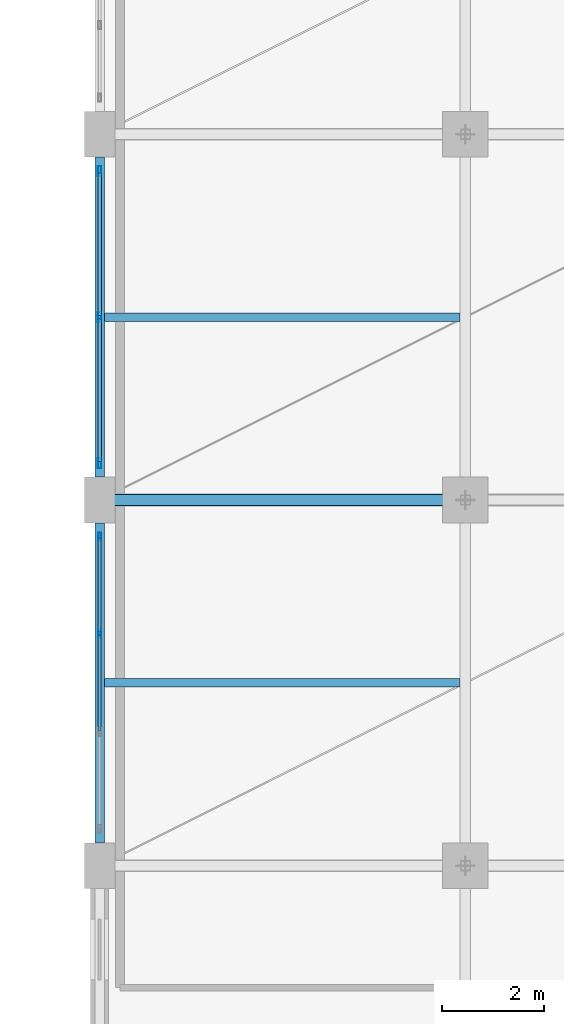
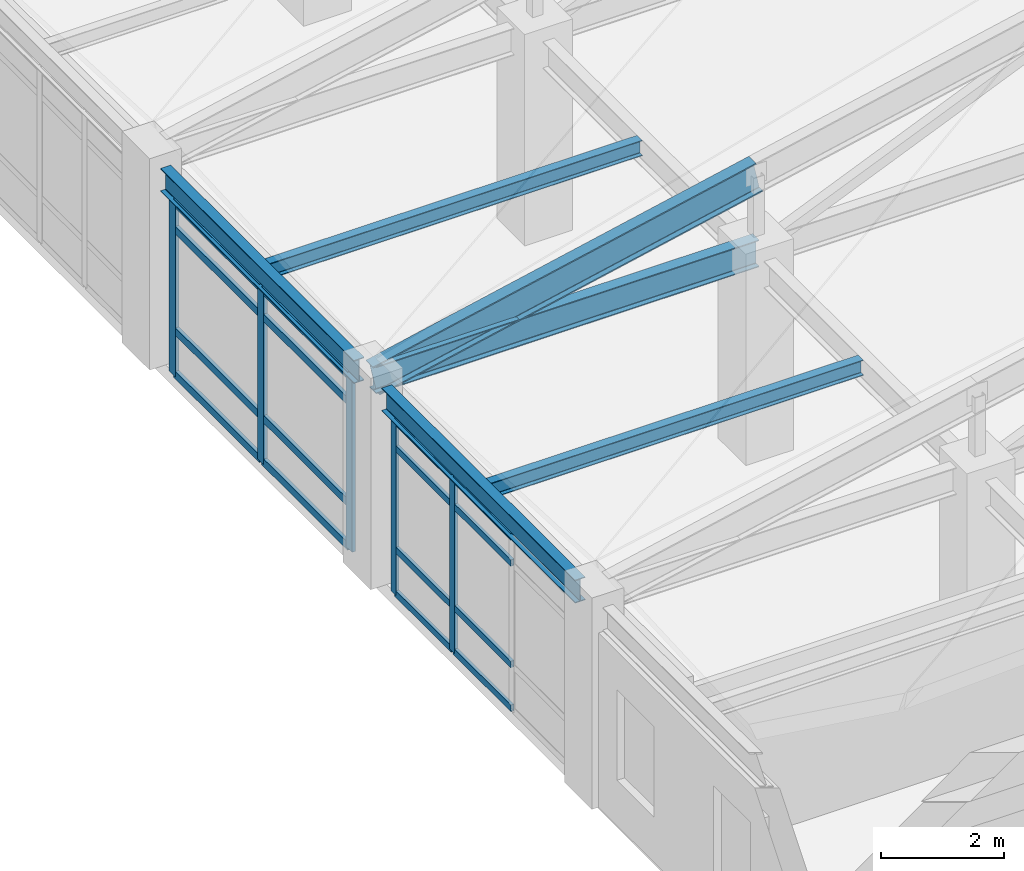
# One storey, part 29 of 113: 22 members, 5 beams, 2 elements without a shape of their own.
"""IFC4 building model written with IfcOpenShell, lengths in metres."""

from ifc_helpers import new_model, si_unit, direction, frame, origin, origin_2d, place, context, subcontext, project, spatial, hollow_rectangle, i_section, extrude, material, layer, layer_set, material_profile, profile_set, type_object, element, aggregate, save


model = new_model("IFC4")

# Units and contexts
model_context = context("Model", 3, precision=1e-05, world=origin(), true_north=direction((0.0, 1.0)))
body_context = subcontext(model_context, "Body", "Model", "MODEL_VIEW")
ifc_project = project(units=[si_unit("LENGTHUNIT", "METRE"), si_unit("AREAUNIT", "SQUARE_METRE"), si_unit("VOLUMEUNIT", "CUBIC_METRE"), si_unit("PLANEANGLEUNIT", "RADIAN"), si_unit("MASSUNIT", "GRAM", prefix="KILO")], contexts=[model_context])

# Site, building, storey
site_placement = place(None, origin())
site = spatial("IfcSite", under=ifc_project, at=site_placement, CompositionType="ELEMENT")
building_placement = place(site_placement, origin())
building = spatial("IfcBuilding", under=site, at=building_placement, Name="Carrowvane Square Congress Hotel", CompositionType="ELEMENT")
storey_placement = place(building_placement, frame((0.0, 0.0, 15.0)))
storey = spatial("IfcBuildingStorey", under=building, at=storey_placement, Name="L03", CompositionType="ELEMENT", Elevation=15.0)

# Beams
ifc_material_1 = material(Name="Steel S355", Category="steel")
ifc_material_profile_1 = material_profile(ifc_material_1, i_section(OverallWidth=0.165771484375, OverallDepth=0.306640625, WebThickness=0.006591796875, FlangeThickness=0.01171875, FilletRadius=0.0087890625, at=origin_2d()), Name="UKB 305x165x46")
ifc_profile_set_1 = profile_set([ifc_material_profile_1], Name="Steel S355")
beam_type_1 = type_object("IfcBeamType", Name="BM-ST-UKB305", PredefinedType="JOIST", material=ifc_profile_set_1)
for number, where, z_axis, x_axis, name in (
    (1, (134.095703125, 16.199951171875, 3.78662109375), (1.0, 0.0, 0.0), (0.0, 1.0, 0.0), "L04 secondary joist 18-19"),
    (2, (134.095703125, 23.39990234375, 3.78662109375), (1.0, 0.0, 0.0), (0.0, 1.0, 0.0), "L04 secondary joist 18-19"),
):
    element("IfcBeam", number, at=place(storey_placement, frame(where, z_axis=z_axis, x_axis=x_axis)), inside=storey, type_object=beam_type_1, Name=name, PredefinedType="JOIST", context=body_context, shape_type="SweptSolid", body=[
        extrude(i_section(OverallWidth=0.165771484375, OverallDepth=0.306640625, WebThickness=0.006591796875, FlangeThickness=0.01171875, FilletRadius=0.0087890625, at=origin_2d()), origin(), (0.0, 0.0, 1.0), 6.999267578125),
    ])
ifc_material_2 = material(Name="Steel S355", Category="steel")
ifc_material_profile_2 = material_profile(ifc_material_2, i_section(OverallWidth=0.19140625, OverallDepth=0.4599609375, WebThickness=0.010009765625, FlangeThickness=0.01611328125, FilletRadius=0.01025390625, at=origin_2d()), Name="UKB 457x191x82")
ifc_profile_set_2 = profile_set([ifc_material_profile_2], Name="Steel S355")
beam_type_2 = type_object("IfcBeamType", Name="BM-ST-UKB457", PredefinedType="SPANDREL", material=ifc_profile_set_2)
for number, where, z_axis, x_axis, name in (
    (3, (134.0, 13.050048828125, 3.7099609375), (0.0, 1.0, 0.0), (-1.0, 0.0, 0.0), "L04 girder 18/B-C"),
    (4, (134.0, 20.25, 3.7099609375), (0.0, 1.0, 0.0), (-1.0, 0.0, 0.0), "L04 girder 18/C-D"),
):
    element("IfcBeam", number, at=place(storey_placement, frame(where, z_axis=z_axis, x_axis=x_axis)), inside=storey, type_object=beam_type_2, Name=name, PredefinedType="SPANDREL", context=body_context, shape_type="SweptSolid", body=[
        extrude(i_section(OverallWidth=0.19140625, OverallDepth=0.4599609375, WebThickness=0.010009765625, FlangeThickness=0.01611328125, FilletRadius=0.01025390625, at=origin_2d()), origin(), (0.0, 0.0, 1.0), 6.300048828125),
    ])
ifc_material_3 = material(Name="Steel S355", Category="steel")
ifc_material_profile_3 = material_profile(ifc_material_3, i_section(OverallWidth=0.2099609375, OverallDepth=0.53662109375, WebThickness=0.0107421875, FlangeThickness=0.017333984375, FilletRadius=0.0126953125, at=origin_2d()), Name="UKB 533x210x101")
ifc_profile_set_3 = profile_set([ifc_material_profile_3], Name="Steel S355")
beam_type_3 = type_object("IfcBeamType", Name="BM-ST-UKB533", PredefinedType="USERDEFINED", material=ifc_profile_set_3)
beam_placement = place(storey_placement, frame((134.0, 19.800048828125, 3.85009765625), z_axis=(1.0, 0.0, 0.0), x_axis=(0.0, 1.0, 0.0)))
element("IfcBeam", 5, at=beam_placement, inside=storey, type_object=beam_type_3, Name="V2 pavilion truss west tie girder 2", ObjectType="GIRDER", PredefinedType="USERDEFINED", context=body_context, shape_type="SweptSolid", body=[
    extrude(i_section(OverallWidth=0.2099609375, OverallDepth=0.53662109375, WebThickness=0.0107421875, FlangeThickness=0.017333984375, FilletRadius=0.0126953125, at=origin_2d()), origin(), (0.0, 0.0, 1.0), 7.199951171875),
])

# Curtain wall, members
ifc_material_4 = material(Name="Anodised aluminium", Category="aluminium")
ifc_layer_1 = layer(ifc_material_4, 0.18603515625)
ifc_layer_set_1 = layer_set([ifc_layer_1], Name="Anodised aluminium")
curtain_wall_type_1 = type_object("IfcCurtainWallType", Name="CW-SYS-3", PredefinedType="NOTDEFINED", material=ifc_layer_set_1)
curtain_wall_1_placement = place(storey_placement, origin())
curtain_wall_1 = element("IfcCurtainWall", 6, at=curtain_wall_1_placement, inside=storey, type_object=curtain_wall_type_1, Name="L03 unitised curtain wall 242", PredefinedType="NOTDEFINED")
ifc_material_5 = material(Name="Anodised aluminium", Category="aluminium")
ifc_material_profile_4 = material_profile(ifc_material_5, hollow_rectangle(XDim=0.06005859375, YDim=0.159912109375, WallThickness=0.00390625, at=origin_2d()), Name="CW-ML 60x160x4")
ifc_profile_set_4 = profile_set([ifc_material_profile_4], Name="Anodised aluminium")
member_type_1 = type_object("IfcMemberType", Name="CW-MUL-1", PredefinedType="MULLION", material=ifc_profile_set_4)
member_1_placement = place(storey_placement, frame((134.0, 17.169921875, 0.0), z_axis=(0.0, 0.0, 1.0), x_axis=(-1.0, 0.0, 0.0)))
member_1 = element("IfcMember", 7, at=member_1_placement, type_object=member_type_1, Name="CW-3 mullion 3", PredefinedType="MULLION", context=body_context, shape_type="SweptSolid", body=[
    extrude(hollow_rectangle(XDim=0.06005859375, YDim=0.159912109375, WallThickness=0.00390625, at=origin_2d()), origin(), (0.0, 0.0, 1.0), 3.465087890625),
])
member_2_placement = place(storey_placement, frame((134.0, 19.080078125, 0.0), z_axis=(0.0, 0.0, 1.0), x_axis=(-1.0, 0.0, 0.0)))
member_2 = element("IfcMember", 8, at=member_2_placement, type_object=member_type_1, Name="CW-3 mullion 4", PredefinedType="MULLION", context=body_context, shape_type="SweptSolid", body=[
    extrude(hollow_rectangle(XDim=0.06005859375, YDim=0.159912109375, WallThickness=0.00390625, at=origin_2d()), origin(), (0.0, 0.0, 1.0), 3.465087890625),
])

ifc_material_6 = material(Name="Anodised aluminium", Category="aluminium")
ifc_layer_2 = layer(ifc_material_6, 0.197998046875)
ifc_layer_set_2 = layer_set([ifc_layer_2], Name="Anodised aluminium")
curtain_wall_type_2 = type_object("IfcCurtainWallType", Name="CW-SYS-4", PredefinedType="NOTDEFINED", material=ifc_layer_set_2)
curtain_wall_2_placement = place(storey_placement, origin())
curtain_wall_2 = element("IfcCurtainWall", 9, at=curtain_wall_2_placement, inside=storey, type_object=curtain_wall_type_2, Name="L03 unitised curtain wall 243", PredefinedType="NOTDEFINED")
ifc_material_7 = material(Name="Anodised aluminium", Category="aluminium")
ifc_material_profile_5 = material_profile(ifc_material_7, hollow_rectangle(XDim=0.070068359375, YDim=0.199951171875, WallThickness=0.0048828125, at=origin_2d()), Name="CW-ML 70x200x5")
ifc_profile_set_5 = profile_set([ifc_material_profile_5], Name="Anodised aluminium")
member_type_2 = type_object("IfcMemberType", Name="CW-MUL-2", PredefinedType="MULLION", material=ifc_profile_set_5)
member_3_placement = place(storey_placement, frame((134.0, 20.52490234375, 0.0), z_axis=(0.0, 0.0, 1.0), x_axis=(-1.0, 0.0, 0.0)))
member_3 = element("IfcMember", 10, at=member_3_placement, type_object=member_type_2, Name="CW-4 mullion 1", PredefinedType="MULLION", context=body_context, shape_type="SweptSolid", body=[
    extrude(hollow_rectangle(XDim=0.070068359375, YDim=0.199951171875, WallThickness=0.0048828125, at=origin_2d()), origin(), (0.0, 0.0, 1.0), 3.465087890625),
])
member_4_placement = place(storey_placement, frame((134.0, 23.39990234375, 0.0), z_axis=(0.0, 0.0, 1.0), x_axis=(-1.0, 0.0, 0.0)))
member_4 = element("IfcMember", 11, at=member_4_placement, type_object=member_type_2, Name="CW-4 mullion 2", PredefinedType="MULLION", context=body_context, shape_type="SweptSolid", body=[
    extrude(hollow_rectangle(XDim=0.070068359375, YDim=0.199951171875, WallThickness=0.0048828125, at=origin_2d()), origin(), (0.0, 0.0, 1.0), 3.465087890625),
])
member_5_placement = place(storey_placement, frame((134.0, 26.27490234375, 0.0), z_axis=(0.0, 0.0, 1.0), x_axis=(-1.0, 0.0, 0.0)))
member_5 = element("IfcMember", 12, at=member_5_placement, type_object=member_type_2, Name="CW-4 mullion 3", PredefinedType="MULLION", context=body_context, shape_type="SweptSolid", body=[
    extrude(hollow_rectangle(XDim=0.070068359375, YDim=0.199951171875, WallThickness=0.0048828125, at=origin_2d()), origin(), (0.0, 0.0, 1.0), 3.465087890625),
])

# Member
ifc_material_8 = material(Name="Anodised aluminium", Category="aluminium")
ifc_material_profile_6 = material_profile(ifc_material_8, hollow_rectangle(XDim=0.06005859375, YDim=0.1298828125, WallThickness=0.00390625, at=origin_2d()), Name="CW-TR 60x130x4")
ifc_profile_set_6 = profile_set([ifc_material_profile_6], Name="Anodised aluminium")
member_type_3 = type_object("IfcMemberType", Name="CW-TRN-1", PredefinedType="USERDEFINED", material=ifc_profile_set_6)
member_6_placement = place(storey_placement, frame((134.0, 15.260009765625, 0.030029296875), z_axis=(0.0, 1.0, 0.0), x_axis=(-1.0, 0.0, 0.0)))
member_6 = element("IfcMember", 13, at=member_6_placement, type_object=member_type_3, Name="CW-3 transom 2.1", ObjectType="TRANSOM", PredefinedType="USERDEFINED", context=body_context, shape_type="SweptSolid", body=[
    extrude(hollow_rectangle(XDim=0.06005859375, YDim=0.1298828125, WallThickness=0.00390625, at=origin_2d()), origin(), (0.0, 0.0, 1.0), 1.8798828125),
])

member_7_placement = place(storey_placement, frame((134.0, 15.260009765625, 0.89990234375), z_axis=(0.0, 1.0, 0.0), x_axis=(-1.0, 0.0, 0.0)))
member_7 = element("IfcMember", 14, at=member_7_placement, type_object=member_type_3, Name="CW-3 transom 2.2", ObjectType="TRANSOM", PredefinedType="USERDEFINED", context=body_context, shape_type="SweptSolid", body=[
    extrude(hollow_rectangle(XDim=0.06005859375, YDim=0.1298828125, WallThickness=0.00390625, at=origin_2d()), origin(), (0.0, 0.0, 1.0), 1.8798828125),
])

member_8_placement = place(storey_placement, frame((134.0, 15.260009765625, 2.9150390625), z_axis=(0.0, 1.0, 0.0), x_axis=(-1.0, 0.0, 0.0)))
member_8 = element("IfcMember", 15, at=member_8_placement, type_object=member_type_3, Name="CW-3 transom 2.3", ObjectType="TRANSOM", PredefinedType="USERDEFINED", context=body_context, shape_type="SweptSolid", body=[
    extrude(hollow_rectangle(XDim=0.06005859375, YDim=0.1298828125, WallThickness=0.00390625, at=origin_2d()), origin(), (0.0, 0.0, 1.0), 1.8798828125),
])

member_9_placement = place(storey_placement, frame((134.0, 15.260009765625, 3.43505859375), z_axis=(0.0, 1.0, 0.0), x_axis=(-1.0, 0.0, 0.0)))
member_9 = element("IfcMember", 16, at=member_9_placement, type_object=member_type_3, Name="CW-3 transom 2.4", ObjectType="TRANSOM", PredefinedType="USERDEFINED", context=body_context, shape_type="SweptSolid", body=[
    extrude(hollow_rectangle(XDim=0.06005859375, YDim=0.1298828125, WallThickness=0.00390625, at=origin_2d()), origin(), (0.0, 0.0, 1.0), 1.8798828125),
])

member_10_placement = place(storey_placement, frame((134.0, 17.199951171875, 0.030029296875), z_axis=(0.0, 1.0, 0.0), x_axis=(-1.0, 0.0, 0.0)))
member_10 = element("IfcMember", 17, at=member_10_placement, type_object=member_type_3, Name="CW-3 transom 3.1", ObjectType="TRANSOM", PredefinedType="USERDEFINED", context=body_context, shape_type="SweptSolid", body=[
    extrude(hollow_rectangle(XDim=0.06005859375, YDim=0.1298828125, WallThickness=0.00390625, at=origin_2d()), origin(), (0.0, 0.0, 1.0), 1.85009765625),
])

member_11_placement = place(storey_placement, frame((134.0, 17.199951171875, 0.89990234375), z_axis=(0.0, 1.0, 0.0), x_axis=(-1.0, 0.0, 0.0)))
member_11 = element("IfcMember", 18, at=member_11_placement, type_object=member_type_3, Name="CW-3 transom 3.2", ObjectType="TRANSOM", PredefinedType="USERDEFINED", context=body_context, shape_type="SweptSolid", body=[
    extrude(hollow_rectangle(XDim=0.06005859375, YDim=0.1298828125, WallThickness=0.00390625, at=origin_2d()), origin(), (0.0, 0.0, 1.0), 1.85009765625),
])

member_12_placement = place(storey_placement, frame((134.0, 17.199951171875, 2.9150390625), z_axis=(0.0, 1.0, 0.0), x_axis=(-1.0, 0.0, 0.0)))
member_12 = element("IfcMember", 19, at=member_12_placement, type_object=member_type_3, Name="CW-3 transom 3.3", ObjectType="TRANSOM", PredefinedType="USERDEFINED", context=body_context, shape_type="SweptSolid", body=[
    extrude(hollow_rectangle(XDim=0.06005859375, YDim=0.1298828125, WallThickness=0.00390625, at=origin_2d()), origin(), (0.0, 0.0, 1.0), 1.85009765625),
])

member_13_placement = place(storey_placement, frame((134.0, 17.199951171875, 3.43505859375), z_axis=(0.0, 1.0, 0.0), x_axis=(-1.0, 0.0, 0.0)))
member_13 = element("IfcMember", 20, at=member_13_placement, type_object=member_type_3, Name="CW-3 transom 3.4", ObjectType="TRANSOM", PredefinedType="USERDEFINED", context=body_context, shape_type="SweptSolid", body=[
    extrude(hollow_rectangle(XDim=0.06005859375, YDim=0.1298828125, WallThickness=0.00390625, at=origin_2d()), origin(), (0.0, 0.0, 1.0), 1.85009765625),
])

aggregate(curtain_wall_1, [member_1, member_2, member_6, member_7, member_8, member_9, member_10, member_11, member_12, member_13])

ifc_material_9 = material(Name="Anodised aluminium", Category="aluminium")
ifc_material_profile_7 = material_profile(ifc_material_9, hollow_rectangle(XDim=0.070068359375, YDim=0.14990234375, WallThickness=0.0048828125, at=origin_2d()), Name="CW-TR 70x150x5")
ifc_profile_set_7 = profile_set([ifc_material_profile_7], Name="Anodised aluminium")
member_type_4 = type_object("IfcMemberType", Name="CW-TRN-2", PredefinedType="USERDEFINED", material=ifc_profile_set_7)
member_14_placement = place(storey_placement, frame((134.0, 20.56005859375, 0.034912109375), z_axis=(0.0, 1.0, 0.0), x_axis=(-1.0, 0.0, 0.0)))
member_14 = element("IfcMember", 21, at=member_14_placement, type_object=member_type_4, Name="CW-4 transom 1.1", ObjectType="TRANSOM", PredefinedType="USERDEFINED", context=body_context, shape_type="SweptSolid", body=[
    extrude(hollow_rectangle(XDim=0.070068359375, YDim=0.14990234375, WallThickness=0.0048828125, at=origin_2d()), origin(), (0.0, 0.0, 1.0), 2.804931640625),
])

member_15_placement = place(storey_placement, frame((134.0, 20.56005859375, 0.89990234375), z_axis=(0.0, 1.0, 0.0), x_axis=(-1.0, 0.0, 0.0)))
member_15 = element("IfcMember", 22, at=member_15_placement, type_object=member_type_4, Name="CW-4 transom 1.2", ObjectType="TRANSOM", PredefinedType="USERDEFINED", context=body_context, shape_type="SweptSolid", body=[
    extrude(hollow_rectangle(XDim=0.070068359375, YDim=0.14990234375, WallThickness=0.0048828125, at=origin_2d()), origin(), (0.0, 0.0, 1.0), 2.804931640625),
])

member_16_placement = place(storey_placement, frame((134.0, 20.56005859375, 2.9150390625), z_axis=(0.0, 1.0, 0.0), x_axis=(-1.0, 0.0, 0.0)))
member_16 = element("IfcMember", 23, at=member_16_placement, type_object=member_type_4, Name="CW-4 transom 1.3", ObjectType="TRANSOM", PredefinedType="USERDEFINED", context=body_context, shape_type="SweptSolid", body=[
    extrude(hollow_rectangle(XDim=0.070068359375, YDim=0.14990234375, WallThickness=0.0048828125, at=origin_2d()), origin(), (0.0, 0.0, 1.0), 2.804931640625),
])

member_17_placement = place(storey_placement, frame((134.0, 20.56005859375, 3.429931640625), z_axis=(0.0, 1.0, 0.0), x_axis=(-1.0, 0.0, 0.0)))
member_17 = element("IfcMember", 24, at=member_17_placement, type_object=member_type_4, Name="CW-4 transom 1.4", ObjectType="TRANSOM", PredefinedType="USERDEFINED", context=body_context, shape_type="SweptSolid", body=[
    extrude(hollow_rectangle(XDim=0.070068359375, YDim=0.14990234375, WallThickness=0.0048828125, at=origin_2d()), origin(), (0.0, 0.0, 1.0), 2.804931640625),
])

member_18_placement = place(storey_placement, frame((134.0, 23.43505859375, 0.034912109375), z_axis=(0.0, 1.0, 0.0), x_axis=(-1.0, 0.0, 0.0)))
member_18 = element("IfcMember", 25, at=member_18_placement, type_object=member_type_4, Name="CW-4 transom 2.1", ObjectType="TRANSOM", PredefinedType="USERDEFINED", context=body_context, shape_type="SweptSolid", body=[
    extrude(hollow_rectangle(XDim=0.070068359375, YDim=0.14990234375, WallThickness=0.0048828125, at=origin_2d()), origin(), (0.0, 0.0, 1.0), 2.804931640625),
])

member_19_placement = place(storey_placement, frame((134.0, 23.43505859375, 0.89990234375), z_axis=(0.0, 1.0, 0.0), x_axis=(-1.0, 0.0, 0.0)))
member_19 = element("IfcMember", 26, at=member_19_placement, type_object=member_type_4, Name="CW-4 transom 2.2", ObjectType="TRANSOM", PredefinedType="USERDEFINED", context=body_context, shape_type="SweptSolid", body=[
    extrude(hollow_rectangle(XDim=0.070068359375, YDim=0.14990234375, WallThickness=0.0048828125, at=origin_2d()), origin(), (0.0, 0.0, 1.0), 2.804931640625),
])

member_20_placement = place(storey_placement, frame((134.0, 23.43505859375, 2.9150390625), z_axis=(0.0, 1.0, 0.0), x_axis=(-1.0, 0.0, 0.0)))
member_20 = element("IfcMember", 27, at=member_20_placement, type_object=member_type_4, Name="CW-4 transom 2.3", ObjectType="TRANSOM", PredefinedType="USERDEFINED", context=body_context, shape_type="SweptSolid", body=[
    extrude(hollow_rectangle(XDim=0.070068359375, YDim=0.14990234375, WallThickness=0.0048828125, at=origin_2d()), origin(), (0.0, 0.0, 1.0), 2.804931640625),
])

member_21_placement = place(storey_placement, frame((134.0, 23.43505859375, 3.429931640625), z_axis=(0.0, 1.0, 0.0), x_axis=(-1.0, 0.0, 0.0)))
member_21 = element("IfcMember", 28, at=member_21_placement, type_object=member_type_4, Name="CW-4 transom 2.4", ObjectType="TRANSOM", PredefinedType="USERDEFINED", context=body_context, shape_type="SweptSolid", body=[
    extrude(hollow_rectangle(XDim=0.070068359375, YDim=0.14990234375, WallThickness=0.0048828125, at=origin_2d()), origin(), (0.0, 0.0, 1.0), 2.804931640625),
])

aggregate(curtain_wall_2, [member_3, member_4, member_5, member_14, member_15, member_16, member_17, member_18, member_19, member_20, member_21])

ifc_material_10 = material(Name="Steel S355", Category="steel")
ifc_material_profile_8 = material_profile(ifc_material_10, i_section(OverallWidth=0.230224609375, OverallDepth=0.6171875, WebThickness=0.01318359375, FlangeThickness=0.022216796875, FilletRadius=0.0126953125, at=origin_2d()), Name="UKB 610x229x140")
ifc_profile_set_8 = profile_set([ifc_material_profile_8], Name="Steel S355")
member_type_5 = type_object("IfcMemberType", Name="MEM-TC-UKB610", PredefinedType="CHORD", material=ifc_profile_set_8)
member_22_placement = place(storey_placement, frame((134.0, 19.800048828125, 3.840087890625), z_axis=(0.978151010745, 0.0, 0.207895647328), x_axis=(0.0, 1.0, 0.0)))
element("IfcMember", 29, at=member_22_placement, inside=storey, type_object=member_type_5, Name="V2 pavilion truss top chord 2.1", PredefinedType="CHORD", context=body_context, shape_type="SweptSolid", body=[
    extrude(i_section(OverallWidth=0.230224609375, OverallDepth=0.6171875, WebThickness=0.01318359375, FlangeThickness=0.022216796875, FilletRadius=0.0126953125, at=origin_2d()), origin(), (0.0, 0.0, 1.0), 7.36083984375),
])

save(model, "model.ifc")
